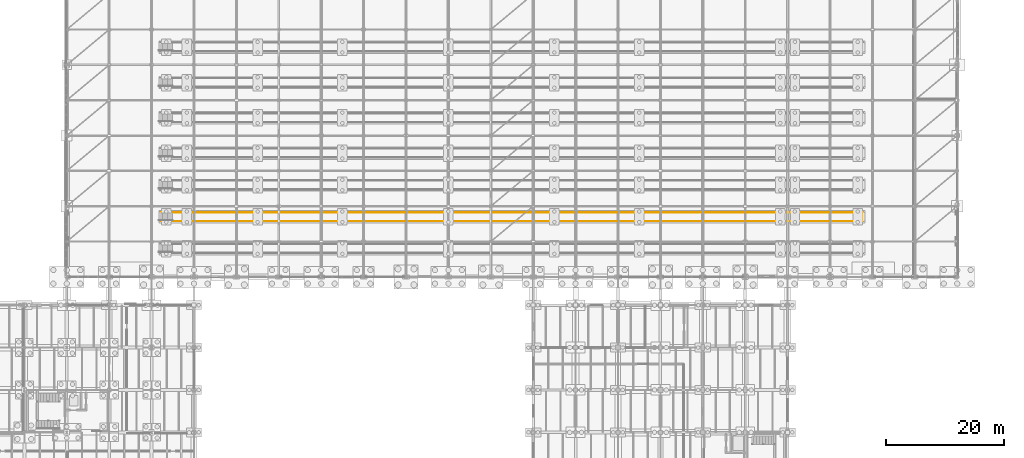
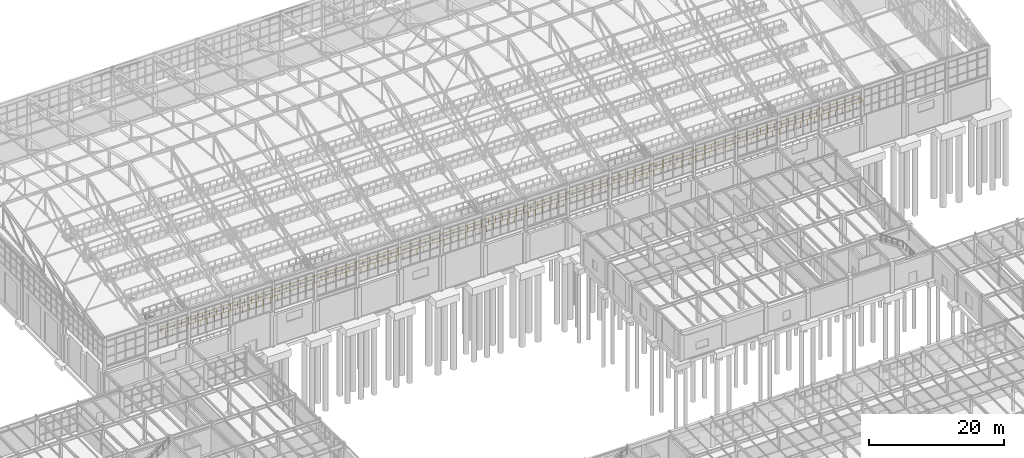
# One storey, part 283 of 293: 1 railing.
"""IFC4 building model written with IfcOpenShell, lengths in metres."""

import ifcopenshell
import ifcopenshell.guid

model = None  # the IFC model being written
_history = None  # IfcOwnerHistory: only IFC2X3 demands one
_inside = {}  # id of a spatial element -> (the spatial element, [elements in it])
_under = {}  # id of a project, library or spatial element -> (it, [spatial elements below it])
_declared = {}  # id of a project -> (the project, [libraries it declares])
_typed = {}  # id of a type object -> (the type object, [elements of that type])
_made_of = {}  # id of a material, layer set ... -> (it, [elements and type objects made of it])


def new_model(schema):
    """Start an empty IFC model of exactly this schema.

    Asked for "IFC4X3", IfcOpenShell would pick the latest addendum, in which some entities
    have other attributes; the version numbers below select the first issue.
    IFC2X3 requires an IfcOwnerHistory on every rooted entity: one is made here for all.
    """
    global model, _history
    if schema == "IFC4X3":
        model = ifcopenshell.file(schema_version=(4, 3, 0, 0))
    else:
        model = ifcopenshell.file(schema=schema)
    _inside.clear()
    _under.clear()
    _declared.clear()
    _typed.clear()
    _made_of.clear()
    _history = None
    if model.schema == "IFC2X3":
        org = make("IfcOrganization", Name="unknown")
        user = make(
            "IfcPersonAndOrganization",
            ThePerson=make("IfcPerson", FamilyName="unknown"),
            TheOrganization=org,
        )
        app = make(
            "IfcApplication",
            ApplicationDeveloper=org,
            Version="unknown",
            ApplicationFullName="unknown",
            ApplicationIdentifier="unknown",
        )
        _history = make(
            "IfcOwnerHistory",
            OwningUser=user,
            OwningApplication=app,
            ChangeAction="ADDED",
            CreationDate=0,
        )
    return model


def make(cls, **values):
    """One entity of the class cls with the attributes given. An attribute that is None is left unset."""
    return model.create_entity(
        cls, **{name: value for name, value in values.items() if value is not None}
    )


def rooted(cls, **values):
    """An entity with a GlobalId (a new one), such as an element, a storey or a relation."""
    return make(cls, GlobalId=ifcopenshell.guid.new(), OwnerHistory=_history, **values)


def si_unit(unit_type, name, prefix=None):
    """IfcSIUnit, for example si_unit("LENGTHUNIT", "METRE", prefix="MILLI")."""
    return make("IfcSIUnit", UnitType=unit_type, Prefix=prefix, Name=name)


def assignment(units):
    """IfcUnitAssignment: the units of a project."""
    return None if units is None else make("IfcUnitAssignment", Units=units)


def point(xyz):
    """IfcCartesianPoint."""
    return None if xyz is None else make("IfcCartesianPoint", Coordinates=xyz)


def direction(xyz):
    """IfcDirection."""
    return None if xyz is None else make("IfcDirection", DirectionRatios=xyz)


def frame(location, z_axis=None, x_axis=None):
    """IfcAxis2Placement3D, a coordinate frame: its origin and axes. An axis left out is left unset."""
    return make(
        "IfcAxis2Placement3D",
        Location=point(location),
        Axis=direction(z_axis),
        RefDirection=direction(x_axis),
    )


def frame_2d(location, x_axis=None):
    """IfcAxis2Placement2D, a coordinate frame in the plane: its origin and x axis."""
    return make(
        "IfcAxis2Placement2D", Location=point(location), RefDirection=direction(x_axis)
    )


def origin():
    """The frame at (0, 0, 0) with its axes left unset."""
    return frame((0.0, 0.0, 0.0))


def origin_2d():
    """The frame at (0, 0) in the plane with its x axis left unset."""
    return frame_2d((0.0, 0.0))


def place(relative_to, where):
    """IfcLocalPlacement: puts the frame where relative to a parent placement (None: the world)."""
    return make(
        "IfcLocalPlacement", PlacementRelTo=relative_to, RelativePlacement=where
    )


def context(
    kind, dimensions, precision=None, world=None, true_north=None, identifier=None
):
    """IfcGeometricRepresentationContext, for example the 3D "Model" context."""
    return make(
        "IfcGeometricRepresentationContext",
        ContextIdentifier=identifier,
        ContextType=kind,
        CoordinateSpaceDimension=dimensions,
        Precision=precision,
        WorldCoordinateSystem=world,
        TrueNorth=true_north,
    )


def subcontext(parent, identifier, kind, view, scale=None):
    """IfcGeometricRepresentationSubContext, for example "Body" below "Model"."""
    return make(
        "IfcGeometricRepresentationSubContext",
        ContextIdentifier=identifier,
        ContextType=kind,
        ParentContext=parent,
        TargetScale=scale,
        TargetView=view,
    )


def project(units=None, contexts=None):
    """IfcProject with its units and contexts."""
    return rooted(
        "IfcProject",
        Name="project",
        RepresentationContexts=contexts,
        UnitsInContext=assignment(units),
    )


def spatial(cls, under=None, at=None, **own):
    """A site, building, storey or space (cls), placed at a placement, below another one or the project."""
    s = rooted(cls, ObjectPlacement=at, **own)
    if under is not None:
        _under.setdefault(under.id(), (under, []))[1].append(s)
    return s


def profile(cls, at=None, kind="AREA", **sizes):
    """A parametric profile (cls). Its sizes go by their IFC names, for example OverallWidth=200.0."""
    return make(cls, ProfileType=kind, Position=at, **sizes)


def circle(**sizes):
    """IfcCircleProfileDef."""
    return profile("IfcCircleProfileDef", **sizes)


def extrude(swept, where, along, depth):
    """IfcExtrudedAreaSolid: the profile swept, set in the frame where, extruded along a direction by depth."""
    return make(
        "IfcExtrudedAreaSolid",
        SweptArea=swept,
        Position=where,
        ExtrudedDirection=direction(along),
        Depth=depth,
    )


def shape(context_of_items, identifier, shape_type, items):
    """IfcShapeRepresentation: the items that make up one representation, for example the "Body"."""
    return make(
        "IfcShapeRepresentation",
        ContextOfItems=context_of_items,
        RepresentationIdentifier=identifier,
        RepresentationType=shape_type,
        Items=items,
    )


def material(Name=None, Category=None):
    """IfcMaterial."""
    return make("IfcMaterial", Name=Name, Category=Category)


def made_of(thing, what):
    """Note that an element or type object is made of a material, layer set ...; save() writes the relation."""
    if what is not None:
        _made_of.setdefault(what.id(), (what, []))[1].append(thing)
    return thing


def type_object(cls, material=None, **own):
    """A type object (cls), such as IfcWallType, which elements share."""
    return made_of(rooted(cls, **own), material)


def element(
    cls,
    number,
    at=None,
    inside=None,
    cuts=None,
    type_object=None,
    material=None,
    context=None,
    identifier="Body",
    shape_type=None,
    held_by="IfcProductDefinitionShape",
    body=None,
    shapes=None,
    **own,
):
    """One element of the class cls, such as IfcWall. Its Tag is "e" and its number.

    at: its placement. inside: the storey or other place that contains it. cuts: it is an
    opening in that element (IfcRelVoidsElement). A single representation is given by context,
    identifier, shape_type and body (its items); several are given by shapes. held_by: the class
    of the entity that holds the representations. save() writes the other relations.
    """
    e = rooted(cls, Tag="e%d" % number, ObjectPlacement=at, **own)
    if body is not None:
        shapes = [shape(context, identifier, shape_type, body)]
    if shapes is not None:
        e.Representation = make(held_by, Representations=shapes)
    if inside is not None:
        _inside.setdefault(inside.id(), (inside, []))[1].append(e)
    if cuts is not None:
        rooted(
            "IfcRelVoidsElement", RelatingBuildingElement=cuts, RelatedOpeningElement=e
        )
    if type_object is not None:
        _typed.setdefault(type_object.id(), (type_object, []))[1].append(e)
    return made_of(e, material)


def aggregate(whole, parts):
    """IfcRelAggregates: a whole, such as a stair, and the parts it consists of."""
    return rooted("IfcRelAggregates", RelatingObject=whole, RelatedObjects=parts)


def save(model, path):
    """Write the relations noted so far, then the file.

    IfcRelAggregates (storeys below a building ...), IfcRelContainedInSpatialStructure (elements
    in a storey), IfcRelDefinesByType, IfcRelAssociatesMaterial and IfcRelDeclares: one each for
    every whole, place, type object, material and project.
    """
    for whole, parts in _under.values():
        aggregate(whole, parts)
    for where, things in _inside.values():
        rooted(
            "IfcRelContainedInSpatialStructure",
            RelatedElements=things,
            RelatingStructure=where,
        )
    for kind, things in _typed.values():
        rooted("IfcRelDefinesByType", RelatedObjects=things, RelatingType=kind)
    for what, things in _made_of.values():
        rooted("IfcRelAssociatesMaterial", RelatedObjects=things, RelatingMaterial=what)
    for by, libraries in _declared.values():
        rooted("IfcRelDeclares", RelatingContext=by, RelatedDefinitions=libraries)
    model.write(path)


model = new_model("IFC4")

# Units and contexts
model_context = context("Model", 3, precision=1e-05, world=origin(), true_north=direction((0.0, 1.0)))
body_context = subcontext(model_context, "Body", "Model", "MODEL_VIEW")
ifc_project = project(units=[si_unit("LENGTHUNIT", "METRE"), si_unit("AREAUNIT", "SQUARE_METRE"), si_unit("VOLUMEUNIT", "CUBIC_METRE"), si_unit("PLANEANGLEUNIT", "RADIAN"), si_unit("MASSUNIT", "GRAM", prefix="KILO")], contexts=[model_context])

# Site, building, storey
site_placement = place(None, origin())
site = spatial("IfcSite", under=ifc_project, at=site_placement, CompositionType="ELEMENT")
building_placement = place(site_placement, origin())
building = spatial("IfcBuilding", under=site, at=building_placement, Name="Kemerveld Promenade Tramway Depot", CompositionType="ELEMENT")
storey_placement = place(building_placement, origin())
storey = spatial("IfcBuildingStorey", under=building, at=storey_placement, Name="L00", CompositionType="ELEMENT", Elevation=0.0)

# Railing
ifc_material = material(Name="Galvanised painted steel balustrade", Category="steel")
railing_type = type_object("IfcRailingType", Name="RL-GRD-1100", PredefinedType="GUARDRAIL", material=ifc_material)
railing_placement = place(storey_placement, frame((51.949951171875, 93.594970703125, 0.0)))
element("IfcRailing", 1, at=railing_placement, inside=storey, type_object=railing_type, Name="RL-PIT-PIT-02", PredefinedType="GUARDRAIL", context=body_context, shape_type="SweptSolid", body=[
    extrude(circle(Radius=0.02392578125, at=origin_2d()), frame((0.0, 0.0, 1.09619140625), z_axis=(0.0, -1.0, 0.0), x_axis=(1.0, 0.0, 0.0)), (0.0, 0.0, 1.0), 0.14501953125),
    extrude(circle(Radius=0.02392578125, at=origin_2d()), frame((0.0, -0.14501953125, 1.09619140625), z_axis=(1.0, 0.0, 0.0), x_axis=(0.0, 1.0, 0.0)), (0.0, 0.0, 1.0), 119.300048828125),
    extrude(circle(Radius=0.02392578125, at=origin_2d()), frame((119.300048828125, -0.14501953125, 1.09619140625), z_axis=(0.0, 1.0, 0.0), x_axis=(-1.0, 0.0, 0.0)), (0.0, 0.0, 1.0), 1.5),
    extrude(circle(Radius=0.02392578125, at=origin_2d()), frame((119.300048828125, 1.35498046875, 1.09619140625), z_axis=(-1.0, 0.0, 0.0), x_axis=(0.0, -1.0, 0.0)), (0.0, 0.0, 1.0), 119.300048828125),
    extrude(circle(Radius=0.02392578125, at=origin_2d()), frame((0.0, 1.35498046875, 1.09619140625), z_axis=(0.0, -1.0, 0.0), x_axis=(1.0, 0.0, 0.0)), (0.0, 0.0, 1.0), 0.14501953125),
    extrude(circle(Radius=0.02099609375, at=origin_2d()), origin(), (0.0, 0.0, 1.0), 1.072021484375),
    extrude(circle(Radius=0.02099609375, at=origin_2d()), frame((0.0, -0.14501953125, 0.0)), (0.0, 0.0, 1.0), 1.072021484375),
    extrude(circle(Radius=0.02099609375, at=origin_2d()), frame((1.193115234375, -0.14501953125, 0.0)), (0.0, 0.0, 1.0), 1.072021484375),
    extrude(circle(Radius=0.02099609375, at=origin_2d()), frame((2.385986328125, -0.14501953125, 0.0)), (0.0, 0.0, 1.0), 1.072021484375),
    extrude(circle(Radius=0.02099609375, at=origin_2d()), frame((3.5791015625, -0.14501953125, 0.0)), (0.0, 0.0, 1.0), 1.072021484375),
    extrude(circle(Radius=0.02099609375, at=origin_2d()), frame((4.77197265625, -0.14501953125, 0.0)), (0.0, 0.0, 1.0), 1.072021484375),
    extrude(circle(Radius=0.02099609375, at=origin_2d()), frame((5.965087890625, -0.14501953125, 0.0)), (0.0, 0.0, 1.0), 1.072021484375),
    extrude(circle(Radius=0.02099609375, at=origin_2d()), frame((7.157958984375, -0.14501953125, 0.0)), (0.0, 0.0, 1.0), 1.072021484375),
    extrude(circle(Radius=0.02099609375, at=origin_2d()), frame((8.35107421875, -0.14501953125, 0.0)), (0.0, 0.0, 1.0), 1.072021484375),
    extrude(circle(Radius=0.02099609375, at=origin_2d()), frame((9.5439453125, -0.14501953125, 0.0)), (0.0, 0.0, 1.0), 1.072021484375),
    extrude(circle(Radius=0.02099609375, at=origin_2d()), frame((10.737060546875, -0.14501953125, 0.0)), (0.0, 0.0, 1.0), 1.072021484375),
    extrude(circle(Radius=0.02099609375, at=origin_2d()), frame((11.929931640625, -0.14501953125, 0.0)), (0.0, 0.0, 1.0), 1.072021484375),
    extrude(circle(Radius=0.02099609375, at=origin_2d()), frame((13.123046875, -0.14501953125, 0.0)), (0.0, 0.0, 1.0), 1.072021484375),
    extrude(circle(Radius=0.02099609375, at=origin_2d()), frame((14.31591796875, -0.14501953125, 0.0)), (0.0, 0.0, 1.0), 1.072021484375),
    extrude(circle(Radius=0.02099609375, at=origin_2d()), frame((15.509033203125, -0.14501953125, 0.0)), (0.0, 0.0, 1.0), 1.072021484375),
    extrude(circle(Radius=0.02099609375, at=origin_2d()), frame((16.701904296875, -0.14501953125, 0.0)), (0.0, 0.0, 1.0), 1.072021484375),
    extrude(circle(Radius=0.02099609375, at=origin_2d()), frame((17.89501953125, -0.14501953125, 0.0)), (0.0, 0.0, 1.0), 1.072021484375),
    extrude(circle(Radius=0.02099609375, at=origin_2d()), frame((19.087890625, -0.14501953125, 0.0)), (0.0, 0.0, 1.0), 1.072021484375),
    extrude(circle(Radius=0.02099609375, at=origin_2d()), frame((20.281005859375, -0.14501953125, 0.0)), (0.0, 0.0, 1.0), 1.072021484375),
    extrude(circle(Radius=0.02099609375, at=origin_2d()), frame((21.47412109375, -0.14501953125, 0.0)), (0.0, 0.0, 1.0), 1.072021484375),
    extrude(circle(Radius=0.02099609375, at=origin_2d()), frame((22.6669921875, -0.14501953125, 0.0)), (0.0, 0.0, 1.0), 1.072021484375),
    extrude(circle(Radius=0.02099609375, at=origin_2d()), frame((23.860107421875, -0.14501953125, 0.0)), (0.0, 0.0, 1.0), 1.072021484375),
    extrude(circle(Radius=0.02099609375, at=origin_2d()), frame((25.052978515625, -0.14501953125, 0.0)), (0.0, 0.0, 1.0), 1.072021484375),
    extrude(circle(Radius=0.02099609375, at=origin_2d()), frame((26.24609375, -0.14501953125, 0.0)), (0.0, 0.0, 1.0), 1.072021484375),
    extrude(circle(Radius=0.02099609375, at=origin_2d()), frame((27.43896484375, -0.14501953125, 0.0)), (0.0, 0.0, 1.0), 1.072021484375),
    extrude(circle(Radius=0.02099609375, at=origin_2d()), frame((28.632080078125, -0.14501953125, 0.0)), (0.0, 0.0, 1.0), 1.072021484375),
    extrude(circle(Radius=0.02099609375, at=origin_2d()), frame((29.824951171875, -0.14501953125, 0.0)), (0.0, 0.0, 1.0), 1.072021484375),
    extrude(circle(Radius=0.02099609375, at=origin_2d()), frame((31.01806640625, -0.14501953125, 0.0)), (0.0, 0.0, 1.0), 1.072021484375),
    extrude(circle(Radius=0.02099609375, at=origin_2d()), frame((32.2109375, -0.14501953125, 0.0)), (0.0, 0.0, 1.0), 1.072021484375),
    extrude(circle(Radius=0.02099609375, at=origin_2d()), frame((33.404052734375, -0.14501953125, 0.0)), (0.0, 0.0, 1.0), 1.072021484375),
    extrude(circle(Radius=0.02099609375, at=origin_2d()), frame((34.596923828125, -0.14501953125, 0.0)), (0.0, 0.0, 1.0), 1.072021484375),
    extrude(circle(Radius=0.02099609375, at=origin_2d()), frame((35.7900390625, -0.14501953125, 0.0)), (0.0, 0.0, 1.0), 1.072021484375),
    extrude(circle(Radius=0.02099609375, at=origin_2d()), frame((36.98291015625, -0.14501953125, 0.0)), (0.0, 0.0, 1.0), 1.072021484375),
    extrude(circle(Radius=0.02099609375, at=origin_2d()), frame((38.176025390625, -0.14501953125, 0.0)), (0.0, 0.0, 1.0), 1.072021484375),
    extrude(circle(Radius=0.02099609375, at=origin_2d()), frame((39.368896484375, -0.14501953125, 0.0)), (0.0, 0.0, 1.0), 1.072021484375),
    extrude(circle(Radius=0.02099609375, at=origin_2d()), frame((40.56201171875, -0.14501953125, 0.0)), (0.0, 0.0, 1.0), 1.072021484375),
    extrude(circle(Radius=0.02099609375, at=origin_2d()), frame((41.755126953125, -0.14501953125, 0.0)), (0.0, 0.0, 1.0), 1.072021484375),
    extrude(circle(Radius=0.02099609375, at=origin_2d()), frame((42.947998046875, -0.14501953125, 0.0)), (0.0, 0.0, 1.0), 1.072021484375),
    extrude(circle(Radius=0.02099609375, at=origin_2d()), frame((44.14111328125, -0.14501953125, 0.0)), (0.0, 0.0, 1.0), 1.072021484375),
    extrude(circle(Radius=0.02099609375, at=origin_2d()), frame((45.333984375, -0.14501953125, 0.0)), (0.0, 0.0, 1.0), 1.072021484375),
    extrude(circle(Radius=0.02099609375, at=origin_2d()), frame((46.527099609375, -0.14501953125, 0.0)), (0.0, 0.0, 1.0), 1.072021484375),
    extrude(circle(Radius=0.02099609375, at=origin_2d()), frame((47.719970703125, -0.14501953125, 0.0)), (0.0, 0.0, 1.0), 1.072021484375),
    extrude(circle(Radius=0.02099609375, at=origin_2d()), frame((48.9130859375, -0.14501953125, 0.0)), (0.0, 0.0, 1.0), 1.072021484375),
    extrude(circle(Radius=0.02099609375, at=origin_2d()), frame((50.10595703125, -0.14501953125, 0.0)), (0.0, 0.0, 1.0), 1.072021484375),
    extrude(circle(Radius=0.02099609375, at=origin_2d()), frame((51.299072265625, -0.14501953125, 0.0)), (0.0, 0.0, 1.0), 1.072021484375),
    extrude(circle(Radius=0.02099609375, at=origin_2d()), frame((52.491943359375, -0.14501953125, 0.0)), (0.0, 0.0, 1.0), 1.072021484375),
    extrude(circle(Radius=0.02099609375, at=origin_2d()), frame((53.68505859375, -0.14501953125, 0.0)), (0.0, 0.0, 1.0), 1.072021484375),
    extrude(circle(Radius=0.02099609375, at=origin_2d()), frame((54.8779296875, -0.14501953125, 0.0)), (0.0, 0.0, 1.0), 1.072021484375),
    extrude(circle(Radius=0.02099609375, at=origin_2d()), frame((56.071044921875, -0.14501953125, 0.0)), (0.0, 0.0, 1.0), 1.072021484375),
    extrude(circle(Radius=0.02099609375, at=origin_2d()), frame((57.263916015625, -0.14501953125, 0.0)), (0.0, 0.0, 1.0), 1.072021484375),
    extrude(circle(Radius=0.02099609375, at=origin_2d()), frame((58.45703125, -0.14501953125, 0.0)), (0.0, 0.0, 1.0), 1.072021484375),
    extrude(circle(Radius=0.02099609375, at=origin_2d()), frame((59.64990234375, -0.14501953125, 0.0)), (0.0, 0.0, 1.0), 1.072021484375),
    extrude(circle(Radius=0.02099609375, at=origin_2d()), frame((60.843017578125, -0.14501953125, 0.0)), (0.0, 0.0, 1.0), 1.072021484375),
    extrude(circle(Radius=0.02099609375, at=origin_2d()), frame((62.0361328125, -0.14501953125, 0.0)), (0.0, 0.0, 1.0), 1.072021484375),
    extrude(circle(Radius=0.02099609375, at=origin_2d()), frame((63.22900390625, -0.14501953125, 0.0)), (0.0, 0.0, 1.0), 1.072021484375),
    extrude(circle(Radius=0.02099609375, at=origin_2d()), frame((64.422119140625, -0.14501953125, 0.0)), (0.0, 0.0, 1.0), 1.072021484375),
    extrude(circle(Radius=0.02099609375, at=origin_2d()), frame((65.614990234375, -0.14501953125, 0.0)), (0.0, 0.0, 1.0), 1.072021484375),
    extrude(circle(Radius=0.02099609375, at=origin_2d()), frame((66.80810546875, -0.14501953125, 0.0)), (0.0, 0.0, 1.0), 1.072021484375),
    extrude(circle(Radius=0.02099609375, at=origin_2d()), frame((68.0009765625, -0.14501953125, 0.0)), (0.0, 0.0, 1.0), 1.072021484375),
    extrude(circle(Radius=0.02099609375, at=origin_2d()), frame((69.194091796875, -0.14501953125, 0.0)), (0.0, 0.0, 1.0), 1.072021484375),
    extrude(circle(Radius=0.02099609375, at=origin_2d()), frame((70.386962890625, -0.14501953125, 0.0)), (0.0, 0.0, 1.0), 1.072021484375),
    extrude(circle(Radius=0.02099609375, at=origin_2d()), frame((71.580078125, -0.14501953125, 0.0)), (0.0, 0.0, 1.0), 1.072021484375),
    extrude(circle(Radius=0.02099609375, at=origin_2d()), frame((72.77294921875, -0.14501953125, 0.0)), (0.0, 0.0, 1.0), 1.072021484375),
    extrude(circle(Radius=0.02099609375, at=origin_2d()), frame((73.966064453125, -0.14501953125, 0.0)), (0.0, 0.0, 1.0), 1.072021484375),
    extrude(circle(Radius=0.02099609375, at=origin_2d()), frame((75.158935546875, -0.14501953125, 0.0)), (0.0, 0.0, 1.0), 1.072021484375),
    extrude(circle(Radius=0.02099609375, at=origin_2d()), frame((76.35205078125, -0.14501953125, 0.0)), (0.0, 0.0, 1.0), 1.072021484375),
    extrude(circle(Radius=0.02099609375, at=origin_2d()), frame((77.544921875, -0.14501953125, 0.0)), (0.0, 0.0, 1.0), 1.072021484375),
    extrude(circle(Radius=0.02099609375, at=origin_2d()), frame((78.738037109375, -0.14501953125, 0.0)), (0.0, 0.0, 1.0), 1.072021484375),
    extrude(circle(Radius=0.02099609375, at=origin_2d()), frame((79.93115234375, -0.14501953125, 0.0)), (0.0, 0.0, 1.0), 1.072021484375),
    extrude(circle(Radius=0.02099609375, at=origin_2d()), frame((81.1240234375, -0.14501953125, 0.0)), (0.0, 0.0, 1.0), 1.072021484375),
    extrude(circle(Radius=0.02099609375, at=origin_2d()), frame((82.317138671875, -0.14501953125, 0.0)), (0.0, 0.0, 1.0), 1.072021484375),
    extrude(circle(Radius=0.02099609375, at=origin_2d()), frame((83.510009765625, -0.14501953125, 0.0)), (0.0, 0.0, 1.0), 1.072021484375),
    extrude(circle(Radius=0.02099609375, at=origin_2d()), frame((84.703125, -0.14501953125, 0.0)), (0.0, 0.0, 1.0), 1.072021484375),
    extrude(circle(Radius=0.02099609375, at=origin_2d()), frame((85.89599609375, -0.14501953125, 0.0)), (0.0, 0.0, 1.0), 1.072021484375),
    extrude(circle(Radius=0.02099609375, at=origin_2d()), frame((87.089111328125, -0.14501953125, 0.0)), (0.0, 0.0, 1.0), 1.072021484375),
    extrude(circle(Radius=0.02099609375, at=origin_2d()), frame((88.281982421875, -0.14501953125, 0.0)), (0.0, 0.0, 1.0), 1.072021484375),
    extrude(circle(Radius=0.02099609375, at=origin_2d()), frame((89.47509765625, -0.14501953125, 0.0)), (0.0, 0.0, 1.0), 1.072021484375),
    extrude(circle(Radius=0.02099609375, at=origin_2d()), frame((90.66796875, -0.14501953125, 0.0)), (0.0, 0.0, 1.0), 1.072021484375),
    extrude(circle(Radius=0.02099609375, at=origin_2d()), frame((91.861083984375, -0.14501953125, 0.0)), (0.0, 0.0, 1.0), 1.072021484375),
    extrude(circle(Radius=0.02099609375, at=origin_2d()), frame((93.053955078125, -0.14501953125, 0.0)), (0.0, 0.0, 1.0), 1.072021484375),
    extrude(circle(Radius=0.02099609375, at=origin_2d()), frame((94.2470703125, -0.14501953125, 0.0)), (0.0, 0.0, 1.0), 1.072021484375),
    extrude(circle(Radius=0.02099609375, at=origin_2d()), frame((95.43994140625, -0.14501953125, 0.0)), (0.0, 0.0, 1.0), 1.072021484375),
    extrude(circle(Radius=0.02099609375, at=origin_2d()), frame((96.633056640625, -0.14501953125, 0.0)), (0.0, 0.0, 1.0), 1.072021484375),
    extrude(circle(Radius=0.02099609375, at=origin_2d()), frame((97.825927734375, -0.14501953125, 0.0)), (0.0, 0.0, 1.0), 1.072021484375),
    extrude(circle(Radius=0.02099609375, at=origin_2d()), frame((99.01904296875, -0.14501953125, 0.0)), (0.0, 0.0, 1.0), 1.072021484375),
    extrude(circle(Radius=0.02099609375, at=origin_2d()), frame((100.212158203125, -0.14501953125, 0.0)), (0.0, 0.0, 1.0), 1.072021484375),
    extrude(circle(Radius=0.02099609375, at=origin_2d()), frame((101.405029296875, -0.14501953125, 0.0)), (0.0, 0.0, 1.0), 1.072021484375),
    extrude(circle(Radius=0.02099609375, at=origin_2d()), frame((102.59814453125, -0.14501953125, 0.0)), (0.0, 0.0, 1.0), 1.072021484375),
    extrude(circle(Radius=0.02099609375, at=origin_2d()), frame((103.791015625, -0.14501953125, 0.0)), (0.0, 0.0, 1.0), 1.072021484375),
    extrude(circle(Radius=0.02099609375, at=origin_2d()), frame((104.984130859375, -0.14501953125, 0.0)), (0.0, 0.0, 1.0), 1.072021484375),
    extrude(circle(Radius=0.02099609375, at=origin_2d()), frame((106.177001953125, -0.14501953125, 0.0)), (0.0, 0.0, 1.0), 1.072021484375),
    extrude(circle(Radius=0.02099609375, at=origin_2d()), frame((107.3701171875, -0.14501953125, 0.0)), (0.0, 0.0, 1.0), 1.072021484375),
    extrude(circle(Radius=0.02099609375, at=origin_2d()), frame((108.56298828125, -0.14501953125, 0.0)), (0.0, 0.0, 1.0), 1.072021484375),
    extrude(circle(Radius=0.02099609375, at=origin_2d()), frame((109.756103515625, -0.14501953125, 0.0)), (0.0, 0.0, 1.0), 1.072021484375),
    extrude(circle(Radius=0.02099609375, at=origin_2d()), frame((110.948974609375, -0.14501953125, 0.0)), (0.0, 0.0, 1.0), 1.072021484375),
    extrude(circle(Radius=0.02099609375, at=origin_2d()), frame((112.14208984375, -0.14501953125, 0.0)), (0.0, 0.0, 1.0), 1.072021484375),
    extrude(circle(Radius=0.02099609375, at=origin_2d()), frame((113.3349609375, -0.14501953125, 0.0)), (0.0, 0.0, 1.0), 1.072021484375),
    extrude(circle(Radius=0.02099609375, at=origin_2d()), frame((114.528076171875, -0.14501953125, 0.0)), (0.0, 0.0, 1.0), 1.072021484375),
    extrude(circle(Radius=0.02099609375, at=origin_2d()), frame((115.720947265625, -0.14501953125, 0.0)), (0.0, 0.0, 1.0), 1.072021484375),
    extrude(circle(Radius=0.02099609375, at=origin_2d()), frame((116.9140625, -0.14501953125, 0.0)), (0.0, 0.0, 1.0), 1.072021484375),
    extrude(circle(Radius=0.02099609375, at=origin_2d()), frame((118.10693359375, -0.14501953125, 0.0)), (0.0, 0.0, 1.0), 1.072021484375),
    extrude(circle(Radius=0.02099609375, at=origin_2d()), frame((119.300048828125, -0.14501953125, 0.0)), (0.0, 0.0, 1.0), 1.072021484375),
    extrude(circle(Radius=0.02099609375, at=origin_2d()), frame((119.300048828125, 0.60498046875, 0.0)), (0.0, 0.0, 1.0), 1.072021484375),
    extrude(circle(Radius=0.02099609375, at=origin_2d()), frame((119.300048828125, 1.35498046875, 0.0)), (0.0, 0.0, 1.0), 1.072021484375),
    extrude(circle(Radius=0.02099609375, at=origin_2d()), frame((118.10693359375, 1.35498046875, 0.0)), (0.0, 0.0, 1.0), 1.072021484375),
    extrude(circle(Radius=0.02099609375, at=origin_2d()), frame((116.9140625, 1.35498046875, 0.0)), (0.0, 0.0, 1.0), 1.072021484375),
    extrude(circle(Radius=0.02099609375, at=origin_2d()), frame((115.720947265625, 1.35498046875, 0.0)), (0.0, 0.0, 1.0), 1.072021484375),
    extrude(circle(Radius=0.02099609375, at=origin_2d()), frame((114.528076171875, 1.35498046875, 0.0)), (0.0, 0.0, 1.0), 1.072021484375),
    extrude(circle(Radius=0.02099609375, at=origin_2d()), frame((113.3349609375, 1.35498046875, 0.0)), (0.0, 0.0, 1.0), 1.072021484375),
    extrude(circle(Radius=0.02099609375, at=origin_2d()), frame((112.14208984375, 1.35498046875, 0.0)), (0.0, 0.0, 1.0), 1.072021484375),
    extrude(circle(Radius=0.02099609375, at=origin_2d()), frame((110.948974609375, 1.35498046875, 0.0)), (0.0, 0.0, 1.0), 1.072021484375),
    extrude(circle(Radius=0.02099609375, at=origin_2d()), frame((109.756103515625, 1.35498046875, 0.0)), (0.0, 0.0, 1.0), 1.072021484375),
    extrude(circle(Radius=0.02099609375, at=origin_2d()), frame((108.56298828125, 1.35498046875, 0.0)), (0.0, 0.0, 1.0), 1.072021484375),
    extrude(circle(Radius=0.02099609375, at=origin_2d()), frame((107.3701171875, 1.35498046875, 0.0)), (0.0, 0.0, 1.0), 1.072021484375),
    extrude(circle(Radius=0.02099609375, at=origin_2d()), frame((106.177001953125, 1.35498046875, 0.0)), (0.0, 0.0, 1.0), 1.072021484375),
    extrude(circle(Radius=0.02099609375, at=origin_2d()), frame((104.984130859375, 1.35498046875, 0.0)), (0.0, 0.0, 1.0), 1.072021484375),
    extrude(circle(Radius=0.02099609375, at=origin_2d()), frame((103.791015625, 1.35498046875, 0.0)), (0.0, 0.0, 1.0), 1.072021484375),
    extrude(circle(Radius=0.02099609375, at=origin_2d()), frame((102.59814453125, 1.35498046875, 0.0)), (0.0, 0.0, 1.0), 1.072021484375),
    extrude(circle(Radius=0.02099609375, at=origin_2d()), frame((101.405029296875, 1.35498046875, 0.0)), (0.0, 0.0, 1.0), 1.072021484375),
    extrude(circle(Radius=0.02099609375, at=origin_2d()), frame((100.212158203125, 1.35498046875, 0.0)), (0.0, 0.0, 1.0), 1.072021484375),
    extrude(circle(Radius=0.02099609375, at=origin_2d()), frame((99.01904296875, 1.35498046875, 0.0)), (0.0, 0.0, 1.0), 1.072021484375),
    extrude(circle(Radius=0.02099609375, at=origin_2d()), frame((97.825927734375, 1.35498046875, 0.0)), (0.0, 0.0, 1.0), 1.072021484375),
    extrude(circle(Radius=0.02099609375, at=origin_2d()), frame((96.633056640625, 1.35498046875, 0.0)), (0.0, 0.0, 1.0), 1.072021484375),
    extrude(circle(Radius=0.02099609375, at=origin_2d()), frame((95.43994140625, 1.35498046875, 0.0)), (0.0, 0.0, 1.0), 1.072021484375),
    extrude(circle(Radius=0.02099609375, at=origin_2d()), frame((94.2470703125, 1.35498046875, 0.0)), (0.0, 0.0, 1.0), 1.072021484375),
    extrude(circle(Radius=0.02099609375, at=origin_2d()), frame((93.053955078125, 1.35498046875, 0.0)), (0.0, 0.0, 1.0), 1.072021484375),
    extrude(circle(Radius=0.02099609375, at=origin_2d()), frame((91.861083984375, 1.35498046875, 0.0)), (0.0, 0.0, 1.0), 1.072021484375),
    extrude(circle(Radius=0.02099609375, at=origin_2d()), frame((90.66796875, 1.35498046875, 0.0)), (0.0, 0.0, 1.0), 1.072021484375),
    extrude(circle(Radius=0.02099609375, at=origin_2d()), frame((89.47509765625, 1.35498046875, 0.0)), (0.0, 0.0, 1.0), 1.072021484375),
    extrude(circle(Radius=0.02099609375, at=origin_2d()), frame((88.281982421875, 1.35498046875, 0.0)), (0.0, 0.0, 1.0), 1.072021484375),
    extrude(circle(Radius=0.02099609375, at=origin_2d()), frame((87.089111328125, 1.35498046875, 0.0)), (0.0, 0.0, 1.0), 1.072021484375),
    extrude(circle(Radius=0.02099609375, at=origin_2d()), frame((85.89599609375, 1.35498046875, 0.0)), (0.0, 0.0, 1.0), 1.072021484375),
    extrude(circle(Radius=0.02099609375, at=origin_2d()), frame((84.703125, 1.35498046875, 0.0)), (0.0, 0.0, 1.0), 1.072021484375),
    extrude(circle(Radius=0.02099609375, at=origin_2d()), frame((83.510009765625, 1.35498046875, 0.0)), (0.0, 0.0, 1.0), 1.072021484375),
    extrude(circle(Radius=0.02099609375, at=origin_2d()), frame((82.317138671875, 1.35498046875, 0.0)), (0.0, 0.0, 1.0), 1.072021484375),
    extrude(circle(Radius=0.02099609375, at=origin_2d()), frame((81.1240234375, 1.35498046875, 0.0)), (0.0, 0.0, 1.0), 1.072021484375),
    extrude(circle(Radius=0.02099609375, at=origin_2d()), frame((79.93115234375, 1.35498046875, 0.0)), (0.0, 0.0, 1.0), 1.072021484375),
    extrude(circle(Radius=0.02099609375, at=origin_2d()), frame((78.738037109375, 1.35498046875, 0.0)), (0.0, 0.0, 1.0), 1.072021484375),
    extrude(circle(Radius=0.02099609375, at=origin_2d()), frame((77.544921875, 1.35498046875, 0.0)), (0.0, 0.0, 1.0), 1.072021484375),
    extrude(circle(Radius=0.02099609375, at=origin_2d()), frame((76.35205078125, 1.35498046875, 0.0)), (0.0, 0.0, 1.0), 1.072021484375),
    extrude(circle(Radius=0.02099609375, at=origin_2d()), frame((75.158935546875, 1.35498046875, 0.0)), (0.0, 0.0, 1.0), 1.072021484375),
    extrude(circle(Radius=0.02099609375, at=origin_2d()), frame((73.966064453125, 1.35498046875, 0.0)), (0.0, 0.0, 1.0), 1.072021484375),
    extrude(circle(Radius=0.02099609375, at=origin_2d()), frame((72.77294921875, 1.35498046875, 0.0)), (0.0, 0.0, 1.0), 1.072021484375),
    extrude(circle(Radius=0.02099609375, at=origin_2d()), frame((71.580078125, 1.35498046875, 0.0)), (0.0, 0.0, 1.0), 1.072021484375),
    extrude(circle(Radius=0.02099609375, at=origin_2d()), frame((70.386962890625, 1.35498046875, 0.0)), (0.0, 0.0, 1.0), 1.072021484375),
    extrude(circle(Radius=0.02099609375, at=origin_2d()), frame((69.194091796875, 1.35498046875, 0.0)), (0.0, 0.0, 1.0), 1.072021484375),
    extrude(circle(Radius=0.02099609375, at=origin_2d()), frame((68.0009765625, 1.35498046875, 0.0)), (0.0, 0.0, 1.0), 1.072021484375),
    extrude(circle(Radius=0.02099609375, at=origin_2d()), frame((66.80810546875, 1.35498046875, 0.0)), (0.0, 0.0, 1.0), 1.072021484375),
    extrude(circle(Radius=0.02099609375, at=origin_2d()), frame((65.614990234375, 1.35498046875, 0.0)), (0.0, 0.0, 1.0), 1.072021484375),
    extrude(circle(Radius=0.02099609375, at=origin_2d()), frame((64.422119140625, 1.35498046875, 0.0)), (0.0, 0.0, 1.0), 1.072021484375),
    extrude(circle(Radius=0.02099609375, at=origin_2d()), frame((63.22900390625, 1.35498046875, 0.0)), (0.0, 0.0, 1.0), 1.072021484375),
    extrude(circle(Radius=0.02099609375, at=origin_2d()), frame((62.0361328125, 1.35498046875, 0.0)), (0.0, 0.0, 1.0), 1.072021484375),
    extrude(circle(Radius=0.02099609375, at=origin_2d()), frame((60.843017578125, 1.35498046875, 0.0)), (0.0, 0.0, 1.0), 1.072021484375),
    extrude(circle(Radius=0.02099609375, at=origin_2d()), frame((59.64990234375, 1.35498046875, 0.0)), (0.0, 0.0, 1.0), 1.072021484375),
    extrude(circle(Radius=0.02099609375, at=origin_2d()), frame((58.45703125, 1.35498046875, 0.0)), (0.0, 0.0, 1.0), 1.072021484375),
    extrude(circle(Radius=0.02099609375, at=origin_2d()), frame((57.263916015625, 1.35498046875, 0.0)), (0.0, 0.0, 1.0), 1.072021484375),
    extrude(circle(Radius=0.02099609375, at=origin_2d()), frame((56.071044921875, 1.35498046875, 0.0)), (0.0, 0.0, 1.0), 1.072021484375),
    extrude(circle(Radius=0.02099609375, at=origin_2d()), frame((54.8779296875, 1.35498046875, 0.0)), (0.0, 0.0, 1.0), 1.072021484375),
    extrude(circle(Radius=0.02099609375, at=origin_2d()), frame((53.68505859375, 1.35498046875, 0.0)), (0.0, 0.0, 1.0), 1.072021484375),
    extrude(circle(Radius=0.02099609375, at=origin_2d()), frame((52.491943359375, 1.35498046875, 0.0)), (0.0, 0.0, 1.0), 1.072021484375),
    extrude(circle(Radius=0.02099609375, at=origin_2d()), frame((51.299072265625, 1.35498046875, 0.0)), (0.0, 0.0, 1.0), 1.072021484375),
    extrude(circle(Radius=0.02099609375, at=origin_2d()), frame((50.10595703125, 1.35498046875, 0.0)), (0.0, 0.0, 1.0), 1.072021484375),
    extrude(circle(Radius=0.02099609375, at=origin_2d()), frame((48.9130859375, 1.35498046875, 0.0)), (0.0, 0.0, 1.0), 1.072021484375),
    extrude(circle(Radius=0.02099609375, at=origin_2d()), frame((47.719970703125, 1.35498046875, 0.0)), (0.0, 0.0, 1.0), 1.072021484375),
    extrude(circle(Radius=0.02099609375, at=origin_2d()), frame((46.527099609375, 1.35498046875, 0.0)), (0.0, 0.0, 1.0), 1.072021484375),
    extrude(circle(Radius=0.02099609375, at=origin_2d()), frame((45.333984375, 1.35498046875, 0.0)), (0.0, 0.0, 1.0), 1.072021484375),
    extrude(circle(Radius=0.02099609375, at=origin_2d()), frame((44.14111328125, 1.35498046875, 0.0)), (0.0, 0.0, 1.0), 1.072021484375),
    extrude(circle(Radius=0.02099609375, at=origin_2d()), frame((42.947998046875, 1.35498046875, 0.0)), (0.0, 0.0, 1.0), 1.072021484375),
    extrude(circle(Radius=0.02099609375, at=origin_2d()), frame((41.755126953125, 1.35498046875, 0.0)), (0.0, 0.0, 1.0), 1.072021484375),
    extrude(circle(Radius=0.02099609375, at=origin_2d()), frame((40.56201171875, 1.35498046875, 0.0)), (0.0, 0.0, 1.0), 1.072021484375),
    extrude(circle(Radius=0.02099609375, at=origin_2d()), frame((39.368896484375, 1.35498046875, 0.0)), (0.0, 0.0, 1.0), 1.072021484375),
    extrude(circle(Radius=0.02099609375, at=origin_2d()), frame((38.176025390625, 1.35498046875, 0.0)), (0.0, 0.0, 1.0), 1.072021484375),
    extrude(circle(Radius=0.02099609375, at=origin_2d()), frame((36.98291015625, 1.35498046875, 0.0)), (0.0, 0.0, 1.0), 1.072021484375),
    extrude(circle(Radius=0.02099609375, at=origin_2d()), frame((35.7900390625, 1.35498046875, 0.0)), (0.0, 0.0, 1.0), 1.072021484375),
    extrude(circle(Radius=0.02099609375, at=origin_2d()), frame((34.596923828125, 1.35498046875, 0.0)), (0.0, 0.0, 1.0), 1.072021484375),
    extrude(circle(Radius=0.02099609375, at=origin_2d()), frame((33.404052734375, 1.35498046875, 0.0)), (0.0, 0.0, 1.0), 1.072021484375),
    extrude(circle(Radius=0.02099609375, at=origin_2d()), frame((32.2109375, 1.35498046875, 0.0)), (0.0, 0.0, 1.0), 1.072021484375),
    extrude(circle(Radius=0.02099609375, at=origin_2d()), frame((31.01806640625, 1.35498046875, 0.0)), (0.0, 0.0, 1.0), 1.072021484375),
    extrude(circle(Radius=0.02099609375, at=origin_2d()), frame((29.824951171875, 1.35498046875, 0.0)), (0.0, 0.0, 1.0), 1.072021484375),
    extrude(circle(Radius=0.02099609375, at=origin_2d()), frame((28.632080078125, 1.35498046875, 0.0)), (0.0, 0.0, 1.0), 1.072021484375),
    extrude(circle(Radius=0.02099609375, at=origin_2d()), frame((27.43896484375, 1.35498046875, 0.0)), (0.0, 0.0, 1.0), 1.072021484375),
    extrude(circle(Radius=0.02099609375, at=origin_2d()), frame((26.24609375, 1.35498046875, 0.0)), (0.0, 0.0, 1.0), 1.072021484375),
    extrude(circle(Radius=0.02099609375, at=origin_2d()), frame((25.052978515625, 1.35498046875, 0.0)), (0.0, 0.0, 1.0), 1.072021484375),
    extrude(circle(Radius=0.02099609375, at=origin_2d()), frame((23.860107421875, 1.35498046875, 0.0)), (0.0, 0.0, 1.0), 1.072021484375),
    extrude(circle(Radius=0.02099609375, at=origin_2d()), frame((22.6669921875, 1.35498046875, 0.0)), (0.0, 0.0, 1.0), 1.072021484375),
    extrude(circle(Radius=0.02099609375, at=origin_2d()), frame((21.47412109375, 1.35498046875, 0.0)), (0.0, 0.0, 1.0), 1.072021484375),
    extrude(circle(Radius=0.02099609375, at=origin_2d()), frame((20.281005859375, 1.35498046875, 0.0)), (0.0, 0.0, 1.0), 1.072021484375),
    extrude(circle(Radius=0.02099609375, at=origin_2d()), frame((19.087890625, 1.35498046875, 0.0)), (0.0, 0.0, 1.0), 1.072021484375),
    extrude(circle(Radius=0.02099609375, at=origin_2d()), frame((17.89501953125, 1.35498046875, 0.0)), (0.0, 0.0, 1.0), 1.072021484375),
    extrude(circle(Radius=0.02099609375, at=origin_2d()), frame((16.701904296875, 1.35498046875, 0.0)), (0.0, 0.0, 1.0), 1.072021484375),
    extrude(circle(Radius=0.02099609375, at=origin_2d()), frame((15.509033203125, 1.35498046875, 0.0)), (0.0, 0.0, 1.0), 1.072021484375),
    extrude(circle(Radius=0.02099609375, at=origin_2d()), frame((14.31591796875, 1.35498046875, 0.0)), (0.0, 0.0, 1.0), 1.072021484375),
    extrude(circle(Radius=0.02099609375, at=origin_2d()), frame((13.123046875, 1.35498046875, 0.0)), (0.0, 0.0, 1.0), 1.072021484375),
    extrude(circle(Radius=0.02099609375, at=origin_2d()), frame((11.929931640625, 1.35498046875, 0.0)), (0.0, 0.0, 1.0), 1.072021484375),
    extrude(circle(Radius=0.02099609375, at=origin_2d()), frame((10.737060546875, 1.35498046875, 0.0)), (0.0, 0.0, 1.0), 1.072021484375),
    extrude(circle(Radius=0.02099609375, at=origin_2d()), frame((9.5439453125, 1.35498046875, 0.0)), (0.0, 0.0, 1.0), 1.072021484375),
    extrude(circle(Radius=0.02099609375, at=origin_2d()), frame((8.35107421875, 1.35498046875, 0.0)), (0.0, 0.0, 1.0), 1.072021484375),
    extrude(circle(Radius=0.02099609375, at=origin_2d()), frame((7.157958984375, 1.35498046875, 0.0)), (0.0, 0.0, 1.0), 1.072021484375),
    extrude(circle(Radius=0.02099609375, at=origin_2d()), frame((5.965087890625, 1.35498046875, 0.0)), (0.0, 0.0, 1.0), 1.072021484375),
    extrude(circle(Radius=0.02099609375, at=origin_2d()), frame((4.77197265625, 1.35498046875, 0.0)), (0.0, 0.0, 1.0), 1.072021484375),
    extrude(circle(Radius=0.02099609375, at=origin_2d()), frame((3.5791015625, 1.35498046875, 0.0)), (0.0, 0.0, 1.0), 1.072021484375),
    extrude(circle(Radius=0.02099609375, at=origin_2d()), frame((2.385986328125, 1.35498046875, 0.0)), (0.0, 0.0, 1.0), 1.072021484375),
    extrude(circle(Radius=0.02099609375, at=origin_2d()), frame((1.193115234375, 1.35498046875, 0.0)), (0.0, 0.0, 1.0), 1.072021484375),
    extrude(circle(Radius=0.02099609375, at=origin_2d()), frame((0.0, 1.35498046875, 0.0)), (0.0, 0.0, 1.0), 1.072021484375),
    extrude(circle(Radius=0.02099609375, at=origin_2d()), frame((0.0, 1.2099609375, 0.0)), (0.0, 0.0, 1.0), 1.072021484375),
])

save(model, "model.ifc")
